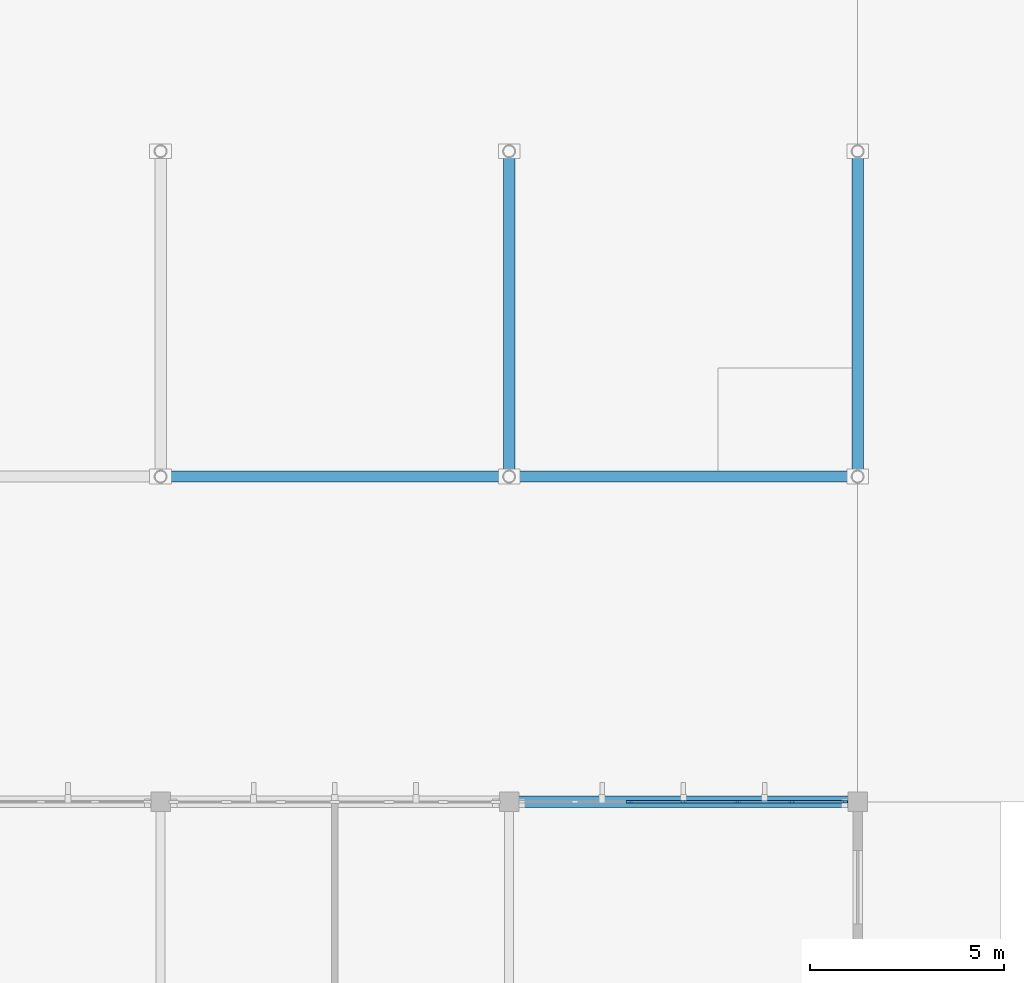
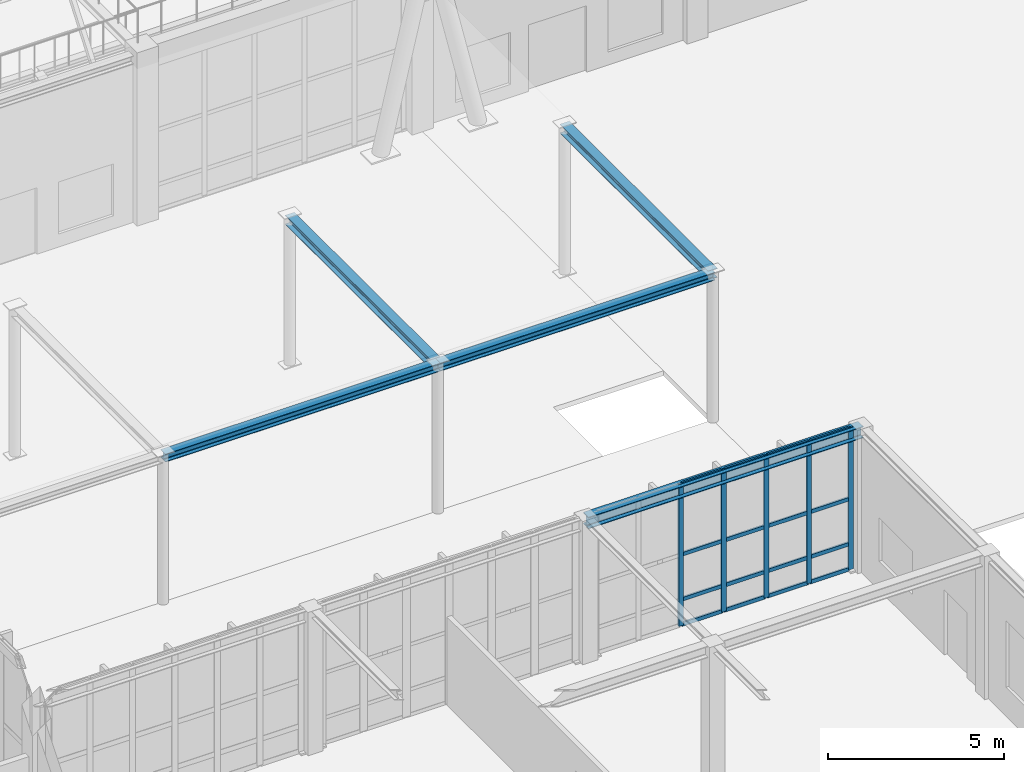
# One storey, part 33 of 110: 21 members, 5 beams, 1 element without a shape of its own.
"""IFC4 building model written with IfcOpenShell, lengths in metres."""

from ifc_helpers import new_model, si_unit, direction, frame, origin, origin_2d, place, context, subcontext, project, spatial, rectangle, i_section, extrude, material, material_profile, profile_set, type_object, element, aggregate, save


model = new_model("IFC4")

# Units and contexts
model_context = context("Model", 3, precision=1e-05, world=origin(), true_north=direction((0.0, 1.0)))
body_context = subcontext(model_context, "Body", "Model", "MODEL_VIEW")
ifc_project = project(units=[si_unit("LENGTHUNIT", "METRE"), si_unit("AREAUNIT", "SQUARE_METRE"), si_unit("VOLUMEUNIT", "CUBIC_METRE"), si_unit("PLANEANGLEUNIT", "RADIAN"), si_unit("MASSUNIT", "GRAM", prefix="KILO")], contexts=[model_context])

# Site, building, storey
site_placement = place(None, origin())
site = spatial("IfcSite", under=ifc_project, at=site_placement, CompositionType="ELEMENT")
building_placement = place(site_placement, origin())
building = spatial("IfcBuilding", under=site, at=building_placement, Name="Tizgana Railside Sports Hall", CompositionType="ELEMENT")
storey_placement = place(building_placement, origin())
storey = spatial("IfcBuildingStorey", under=building, at=storey_placement, Name="L00", CompositionType="ELEMENT", Elevation=0.0)

# Curtain wall, members
ifc_material_1 = material(Name="Anodised aluminium and glass", Category="aluminium")
curtain_wall_type = type_object("IfcCurtainWallType", Name="Unitised Curtain Wall Passage 1800", PredefinedType="NOTDEFINED", material=ifc_material_1)
curtain_wall_placement = place(storey_placement, origin())
curtain_wall = element("IfcCurtainWall", 1, at=curtain_wall_placement, inside=storey, type_object=curtain_wall_type, Name="L00 Curtain Wall CW-0157", PredefinedType="NOTDEFINED")
ifc_material_2 = material(Name="Anodised aluminium", Category="aluminium")
ifc_material_profile_1 = material_profile(ifc_material_2, rectangle(XDim=0.06005859375, YDim=0.159912109375, at=origin_2d()), Name="Mullion 60x160")
ifc_profile_set_1 = profile_set([ifc_material_profile_1], Name="Anodised aluminium")
member_type_1 = type_object("IfcMemberType", Name="Mullion 60x160", PredefinedType="MULLION", material=ifc_profile_set_1)
member_1_placement = place(storey_placement, frame((118.901611328125, 15.60009765625, 0.044921875), z_axis=(0.0, 0.0, 1.0), x_axis=(0.0, 1.0, 0.0)))
member_1 = element("IfcMember", 2, at=member_1_placement, type_object=member_type_1, Name="CW-06 mullion 3", PredefinedType="MULLION", context=body_context, shape_type="SweptSolid", body=[
    extrude(rectangle(XDim=0.06005859375, YDim=0.159912109375, at=origin_2d()), origin(), (0.0, 0.0, 1.0), 4.9150390625),
])
member_2_placement = place(storey_placement, frame((120.300048828125, 15.60009765625, 0.044921875), z_axis=(0.0, 0.0, 1.0), x_axis=(0.0, 1.0, 0.0)))
member_2 = element("IfcMember", 3, at=member_2_placement, type_object=member_type_1, Name="CW-06 mullion 4", PredefinedType="MULLION", context=body_context, shape_type="SweptSolid", body=[
    extrude(rectangle(XDim=0.06005859375, YDim=0.159912109375, at=origin_2d()), origin(), (0.0, 0.0, 1.0), 4.9150390625),
])
member_3_placement = place(storey_placement, frame((121.6982421875, 15.60009765625, 0.044921875), z_axis=(0.0, 0.0, 1.0), x_axis=(0.0, 1.0, 0.0)))
member_3 = element("IfcMember", 4, at=member_3_placement, type_object=member_type_1, Name="CW-06 mullion 5", PredefinedType="MULLION", context=body_context, shape_type="SweptSolid", body=[
    extrude(rectangle(XDim=0.06005859375, YDim=0.159912109375, at=origin_2d()), origin(), (0.0, 0.0, 1.0), 4.9150390625),
])
member_4_placement = place(storey_placement, frame((123.0966796875, 15.60009765625, 0.044921875), z_axis=(0.0, 0.0, 1.0), x_axis=(0.0, 1.0, 0.0)))
member_4 = element("IfcMember", 5, at=member_4_placement, type_object=member_type_1, Name="CW-06 mullion 6", PredefinedType="MULLION", context=body_context, shape_type="SweptSolid", body=[
    extrude(rectangle(XDim=0.06005859375, YDim=0.159912109375, at=origin_2d()), origin(), (0.0, 0.0, 1.0), 4.9150390625),
])
member_5_placement = place(storey_placement, frame((124.465087890625, 15.60009765625, 0.044921875), z_axis=(0.0, 0.0, 1.0), x_axis=(0.0, 1.0, 0.0)))
member_5 = element("IfcMember", 6, at=member_5_placement, type_object=member_type_1, Name="CW-06 mullion 7", PredefinedType="MULLION", context=body_context, shape_type="SweptSolid", body=[
    extrude(rectangle(XDim=0.06005859375, YDim=0.159912109375, at=origin_2d()), origin(), (0.0, 0.0, 1.0), 4.9150390625),
])

# Beams
ifc_material_3 = material(Name="Steel S355J2", Category="steel")
ifc_material_profile_2 = material_profile(ifc_material_3, i_section(OverallWidth=0.280029296875, OverallDepth=0.280029296875, WebThickness=0.010498046875, FlangeThickness=0.01806640625, FilletRadius=0.02392578125, at=origin_2d()), Name="HEB 280")
ifc_profile_set_2 = profile_set([ifc_material_profile_2], Name="Steel S355J2")
beam_type_1 = type_object("IfcBeamType", Name="Steel Beam HEB 280", PredefinedType="BEAM", material=ifc_profile_set_2)
for number, where, z_axis, x_axis, name in (
    (7, (106.800048828125, 24.0, 5.055908203125), (1.0, 0.0, 0.0), (0.0, 1.0, 0.0), "L00 BEM-1206"),
    (8, (115.800048828125, 24.0, 5.055908203125), (1.0, 0.0, 0.0), (0.0, 1.0, 0.0), "L00 BEM-1207"),
):
    element("IfcBeam", number, at=place(storey_placement, frame(where, z_axis=z_axis, x_axis=x_axis)), inside=storey, type_object=beam_type_1, Name=name, PredefinedType="BEAM", context=body_context, shape_type="SweptSolid", body=[
        extrude(i_section(OverallWidth=0.280029296875, OverallDepth=0.280029296875, WebThickness=0.010498046875, FlangeThickness=0.01806640625, FilletRadius=0.02392578125, at=origin_2d()), origin(), (0.0, 0.0, 1.0), 9.0),
    ])
ifc_material_profile_3 = material_profile(ifc_material_3, i_section(OverallWidth=0.300048828125, OverallDepth=0.320068359375, WebThickness=0.011474609375, FlangeThickness=0.0205078125, FilletRadius=0.027099609375, at=origin_2d()), Name="HEB 320")
ifc_profile_set_3 = profile_set([ifc_material_profile_3], Name="Steel S355J2")
beam_type_2 = type_object("IfcBeamType", Name="Steel Beam HEB 320", PredefinedType="BEAM", material=ifc_profile_set_3)
for number, where, z_axis, x_axis, name in (
    (9, (115.800048828125, 24.0, 5.035888671875), (0.0, 1.0, 0.0), (-1.0, 0.0, 0.0), "L00 BEM-1209"),
    (10, (124.800048828125, 24.0, 5.035888671875), (0.0, 1.0, 0.0), (-1.0, 0.0, 0.0), "L00 BEM-1210"),
):
    element("IfcBeam", number, at=place(storey_placement, frame(where, z_axis=z_axis, x_axis=x_axis)), inside=storey, type_object=beam_type_2, Name=name, PredefinedType="BEAM", context=body_context, shape_type="SweptSolid", body=[
        extrude(i_section(OverallWidth=0.300048828125, OverallDepth=0.320068359375, WebThickness=0.011474609375, FlangeThickness=0.0205078125, FilletRadius=0.027099609375, at=origin_2d()), origin(), (0.0, 0.0, 1.0), 8.39990234375),
    ])
ifc_material_profile_4 = material_profile(ifc_material_3, i_section(OverallWidth=0.300048828125, OverallDepth=0.39990234375, WebThickness=0.013427734375, FlangeThickness=0.02392578125, FilletRadius=0.027099609375, at=origin_2d()), Name="HEB 400")
ifc_profile_set_4 = profile_set([ifc_material_profile_4], Name="Steel S355J2")
beam_type_3 = type_object("IfcBeamType", Name="Steel Beam HEB 400", PredefinedType="BEAM", material=ifc_profile_set_4)
beam_placement = place(storey_placement, frame((115.800048828125, 15.60009765625, 4.756103515625), z_axis=(1.0, 0.0, 0.0), x_axis=(0.0, 1.0, 0.0)))
element("IfcBeam", 11, at=beam_placement, inside=storey, type_object=beam_type_3, Name="L00 BEM-1361", PredefinedType="BEAM", context=body_context, shape_type="SweptSolid", body=[
    extrude(i_section(OverallWidth=0.300048828125, OverallDepth=0.39990234375, WebThickness=0.013427734375, FlangeThickness=0.02392578125, FilletRadius=0.027099609375, at=origin_2d()), origin(), (0.0, 0.0, 1.0), 9.0),
])

# Member
ifc_material_profile_5 = material_profile(ifc_material_2, rectangle(XDim=0.06005859375, YDim=0.1298828125, at=origin_2d()), Name="Transom 60x130")
ifc_profile_set_5 = profile_set([ifc_material_profile_5], Name="Anodised aluminium")
member_type_2 = type_object("IfcMemberType", Name="Transom 60x130", PredefinedType="USERDEFINED", material=ifc_profile_set_5)
member_6_placement = place(storey_placement, frame((118.931640625, 15.60009765625, 0.074951171875), z_axis=(1.0, 0.0, 0.0), x_axis=(0.0, 1.0, 0.0)))
member_6 = element("IfcMember", 12, at=member_6_placement, type_object=member_type_2, Name="CW-06 transom 3.1", ObjectType="TRANSOM", PredefinedType="USERDEFINED", context=body_context, shape_type="SweptSolid", body=[
    extrude(rectangle(XDim=0.06005859375, YDim=0.1298828125, at=origin_2d()), origin(), (0.0, 0.0, 1.0), 1.33837890625),
])

member_7_placement = place(storey_placement, frame((118.931640625, 15.60009765625, 0.945068359375), z_axis=(1.0, 0.0, 0.0), x_axis=(0.0, 1.0, 0.0)))
member_7 = element("IfcMember", 13, at=member_7_placement, type_object=member_type_2, Name="CW-06 transom 3.2", ObjectType="TRANSOM", PredefinedType="USERDEFINED", context=body_context, shape_type="SweptSolid", body=[
    extrude(rectangle(XDim=0.06005859375, YDim=0.1298828125, at=origin_2d()), origin(), (0.0, 0.0, 1.0), 1.33837890625),
])

member_8_placement = place(storey_placement, frame((118.931640625, 15.60009765625, 2.50244140625), z_axis=(1.0, 0.0, 0.0), x_axis=(0.0, 1.0, 0.0)))
member_8 = element("IfcMember", 14, at=member_8_placement, type_object=member_type_2, Name="CW-06 transom 3.3", ObjectType="TRANSOM", PredefinedType="USERDEFINED", context=body_context, shape_type="SweptSolid", body=[
    extrude(rectangle(XDim=0.06005859375, YDim=0.1298828125, at=origin_2d()), origin(), (0.0, 0.0, 1.0), 1.33837890625),
])

member_9_placement = place(storey_placement, frame((118.931640625, 15.60009765625, 4.929931640625), z_axis=(1.0, 0.0, 0.0), x_axis=(0.0, 1.0, 0.0)))
member_9 = element("IfcMember", 15, at=member_9_placement, type_object=member_type_2, Name="CW-06 transom 3.4", ObjectType="TRANSOM", PredefinedType="USERDEFINED", context=body_context, shape_type="SweptSolid", body=[
    extrude(rectangle(XDim=0.06005859375, YDim=0.1298828125, at=origin_2d()), origin(), (0.0, 0.0, 1.0), 1.33837890625),
])

member_10_placement = place(storey_placement, frame((120.330078125, 15.60009765625, 0.074951171875), z_axis=(1.0, 0.0, 0.0), x_axis=(0.0, 1.0, 0.0)))
member_10 = element("IfcMember", 16, at=member_10_placement, type_object=member_type_2, Name="CW-06 transom 4.1", ObjectType="TRANSOM", PredefinedType="USERDEFINED", context=body_context, shape_type="SweptSolid", body=[
    extrude(rectangle(XDim=0.06005859375, YDim=0.1298828125, at=origin_2d()), origin(), (0.0, 0.0, 1.0), 1.338134765625),
])

member_11_placement = place(storey_placement, frame((120.330078125, 15.60009765625, 0.945068359375), z_axis=(1.0, 0.0, 0.0), x_axis=(0.0, 1.0, 0.0)))
member_11 = element("IfcMember", 17, at=member_11_placement, type_object=member_type_2, Name="CW-06 transom 4.2", ObjectType="TRANSOM", PredefinedType="USERDEFINED", context=body_context, shape_type="SweptSolid", body=[
    extrude(rectangle(XDim=0.06005859375, YDim=0.1298828125, at=origin_2d()), origin(), (0.0, 0.0, 1.0), 1.338134765625),
])

member_12_placement = place(storey_placement, frame((120.330078125, 15.60009765625, 2.50244140625), z_axis=(1.0, 0.0, 0.0), x_axis=(0.0, 1.0, 0.0)))
member_12 = element("IfcMember", 18, at=member_12_placement, type_object=member_type_2, Name="CW-06 transom 4.3", ObjectType="TRANSOM", PredefinedType="USERDEFINED", context=body_context, shape_type="SweptSolid", body=[
    extrude(rectangle(XDim=0.06005859375, YDim=0.1298828125, at=origin_2d()), origin(), (0.0, 0.0, 1.0), 1.338134765625),
])

member_13_placement = place(storey_placement, frame((120.330078125, 15.60009765625, 4.929931640625), z_axis=(1.0, 0.0, 0.0), x_axis=(0.0, 1.0, 0.0)))
member_13 = element("IfcMember", 19, at=member_13_placement, type_object=member_type_2, Name="CW-06 transom 4.4", ObjectType="TRANSOM", PredefinedType="USERDEFINED", context=body_context, shape_type="SweptSolid", body=[
    extrude(rectangle(XDim=0.06005859375, YDim=0.1298828125, at=origin_2d()), origin(), (0.0, 0.0, 1.0), 1.338134765625),
])

member_14_placement = place(storey_placement, frame((121.728271484375, 15.60009765625, 0.074951171875), z_axis=(1.0, 0.0, 0.0), x_axis=(0.0, 1.0, 0.0)))
member_14 = element("IfcMember", 20, at=member_14_placement, type_object=member_type_2, Name="CW-06 transom 5.1", ObjectType="TRANSOM", PredefinedType="USERDEFINED", context=body_context, shape_type="SweptSolid", body=[
    extrude(rectangle(XDim=0.06005859375, YDim=0.1298828125, at=origin_2d()), origin(), (0.0, 0.0, 1.0), 1.33837890625),
])

member_15_placement = place(storey_placement, frame((121.728271484375, 15.60009765625, 0.945068359375), z_axis=(1.0, 0.0, 0.0), x_axis=(0.0, 1.0, 0.0)))
member_15 = element("IfcMember", 21, at=member_15_placement, type_object=member_type_2, Name="CW-06 transom 5.2", ObjectType="TRANSOM", PredefinedType="USERDEFINED", context=body_context, shape_type="SweptSolid", body=[
    extrude(rectangle(XDim=0.06005859375, YDim=0.1298828125, at=origin_2d()), origin(), (0.0, 0.0, 1.0), 1.33837890625),
])

member_16_placement = place(storey_placement, frame((121.728271484375, 15.60009765625, 2.50244140625), z_axis=(1.0, 0.0, 0.0), x_axis=(0.0, 1.0, 0.0)))
member_16 = element("IfcMember", 22, at=member_16_placement, type_object=member_type_2, Name="CW-06 transom 5.3", ObjectType="TRANSOM", PredefinedType="USERDEFINED", context=body_context, shape_type="SweptSolid", body=[
    extrude(rectangle(XDim=0.06005859375, YDim=0.1298828125, at=origin_2d()), origin(), (0.0, 0.0, 1.0), 1.33837890625),
])

member_17_placement = place(storey_placement, frame((121.728271484375, 15.60009765625, 4.929931640625), z_axis=(1.0, 0.0, 0.0), x_axis=(0.0, 1.0, 0.0)))
member_17 = element("IfcMember", 23, at=member_17_placement, type_object=member_type_2, Name="CW-06 transom 5.4", ObjectType="TRANSOM", PredefinedType="USERDEFINED", context=body_context, shape_type="SweptSolid", body=[
    extrude(rectangle(XDim=0.06005859375, YDim=0.1298828125, at=origin_2d()), origin(), (0.0, 0.0, 1.0), 1.33837890625),
])

member_18_placement = place(storey_placement, frame((123.126708984375, 15.60009765625, 0.074951171875), z_axis=(1.0, 0.0, 0.0), x_axis=(0.0, 1.0, 0.0)))
member_18 = element("IfcMember", 24, at=member_18_placement, type_object=member_type_2, Name="CW-06 transom 6.1", ObjectType="TRANSOM", PredefinedType="USERDEFINED", context=body_context, shape_type="SweptSolid", body=[
    extrude(rectangle(XDim=0.06005859375, YDim=0.1298828125, at=origin_2d()), origin(), (0.0, 0.0, 1.0), 1.308349609375),
])

member_19_placement = place(storey_placement, frame((123.126708984375, 15.60009765625, 0.945068359375), z_axis=(1.0, 0.0, 0.0), x_axis=(0.0, 1.0, 0.0)))
member_19 = element("IfcMember", 25, at=member_19_placement, type_object=member_type_2, Name="CW-06 transom 6.2", ObjectType="TRANSOM", PredefinedType="USERDEFINED", context=body_context, shape_type="SweptSolid", body=[
    extrude(rectangle(XDim=0.06005859375, YDim=0.1298828125, at=origin_2d()), origin(), (0.0, 0.0, 1.0), 1.308349609375),
])

member_20_placement = place(storey_placement, frame((123.126708984375, 15.60009765625, 2.50244140625), z_axis=(1.0, 0.0, 0.0), x_axis=(0.0, 1.0, 0.0)))
member_20 = element("IfcMember", 26, at=member_20_placement, type_object=member_type_2, Name="CW-06 transom 6.3", ObjectType="TRANSOM", PredefinedType="USERDEFINED", context=body_context, shape_type="SweptSolid", body=[
    extrude(rectangle(XDim=0.06005859375, YDim=0.1298828125, at=origin_2d()), origin(), (0.0, 0.0, 1.0), 1.308349609375),
])

member_21_placement = place(storey_placement, frame((123.126708984375, 15.60009765625, 4.929931640625), z_axis=(1.0, 0.0, 0.0), x_axis=(0.0, 1.0, 0.0)))
member_21 = element("IfcMember", 27, at=member_21_placement, type_object=member_type_2, Name="CW-06 transom 6.4", ObjectType="TRANSOM", PredefinedType="USERDEFINED", context=body_context, shape_type="SweptSolid", body=[
    extrude(rectangle(XDim=0.06005859375, YDim=0.1298828125, at=origin_2d()), origin(), (0.0, 0.0, 1.0), 1.308349609375),
])

aggregate(curtain_wall, [member_1, member_2, member_3, member_4, member_5, member_6, member_7, member_8, member_9, member_10, member_11, member_12, member_13, member_14, member_15, member_16, member_17, member_18, member_19, member_20, member_21])

save(model, "model.ifc")
